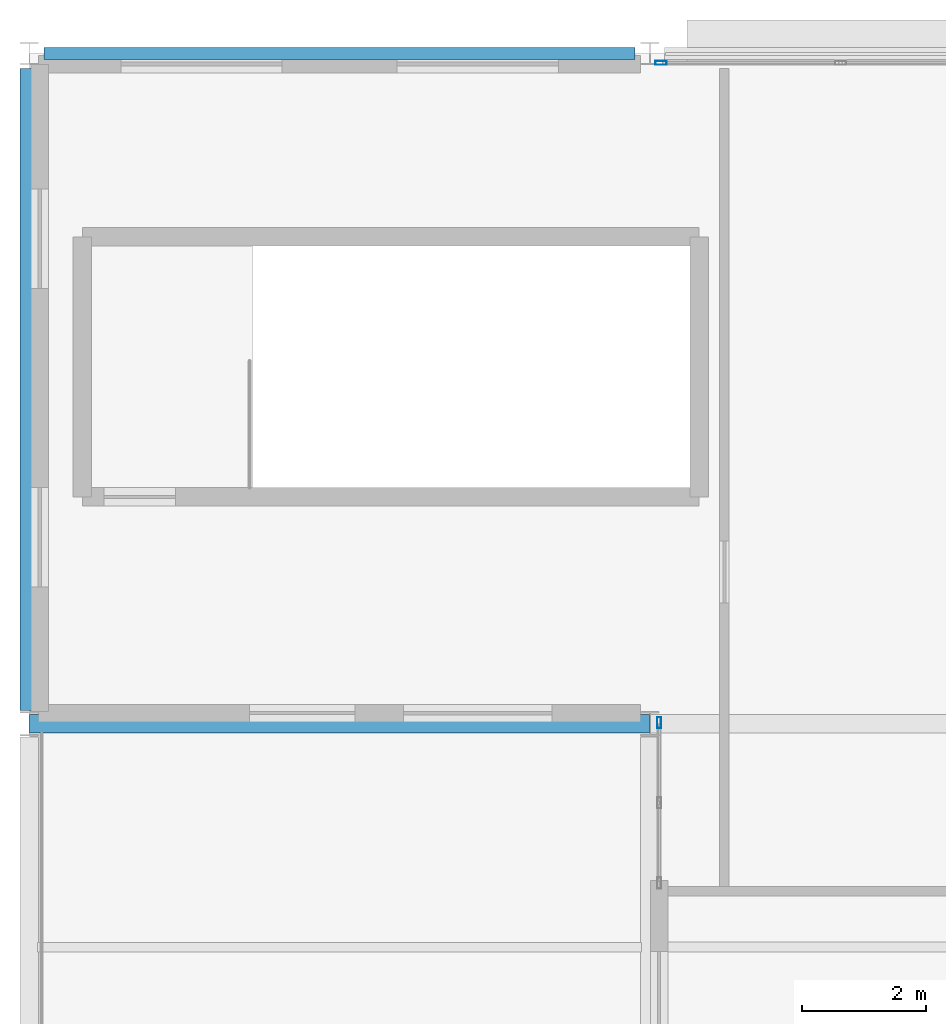
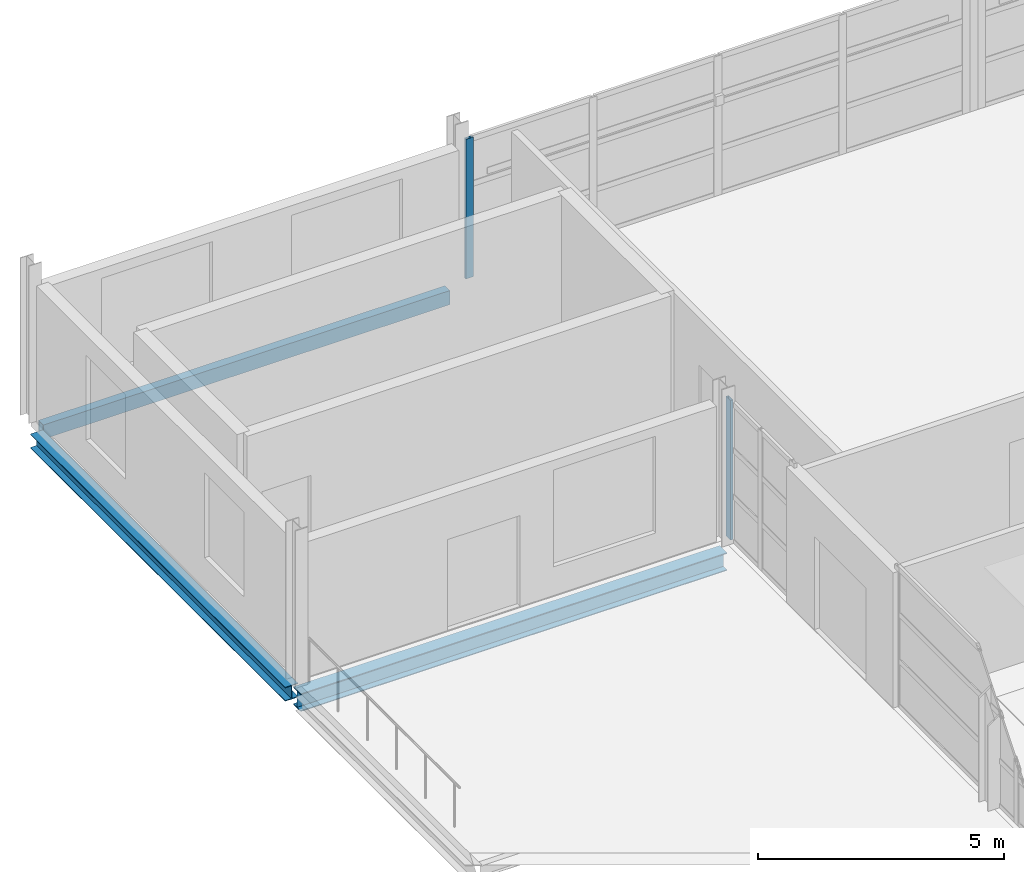
# One storey, part 16 of 33: 3 beams, 2 members, 2 elements without a shape of their own.
"""IFC4 building model written with IfcOpenShell, lengths in metres."""

from ifc_helpers import new_model, si_unit, direction, frame, origin, origin_2d, place, context, subcontext, project, spatial, hollow_rectangle, i_section, extrude, material, layer, layer_set, material_profile, profile_set, type_object, element, aggregate, save


model = new_model("IFC4")

# Units and contexts
model_context = context("Model", 3, precision=1e-05, world=origin(), true_north=direction((0.0, 1.0)))
body_context = subcontext(model_context, "Body", "Model", "MODEL_VIEW")
ifc_project = project(units=[si_unit("LENGTHUNIT", "METRE"), si_unit("AREAUNIT", "SQUARE_METRE"), si_unit("VOLUMEUNIT", "CUBIC_METRE"), si_unit("PLANEANGLEUNIT", "RADIAN"), si_unit("MASSUNIT", "GRAM", prefix="KILO")], contexts=[model_context])

# Site, building, storey
site_placement = place(None, origin())
site = spatial("IfcSite", under=ifc_project, at=site_placement, CompositionType="ELEMENT")
building_placement = place(site_placement, origin())
building = spatial("IfcBuilding", under=site, at=building_placement, Name="Tamarisk Ironworks Central Station", CompositionType="ELEMENT")
storey_placement = place(building_placement, frame((0.0, 0.0, 21.300048828125)))
storey = spatial("IfcBuildingStorey", under=building, at=storey_placement, Name="L04", CompositionType="ELEMENT", Elevation=21.300048828125)

# Beams
ifc_material_1 = material(Name="Structural steel S355J2", Category="steel")
ifc_material_profile_1 = material_profile(ifc_material_1, i_section(OverallWidth=0.300048828125, OverallDepth=0.43994140625, WebThickness=0.011474609375, FlangeThickness=0.02099609375, at=origin_2d()), Name="HEA 450")
ifc_profile_set_1 = profile_set([ifc_material_profile_1], Name="Structural steel S355J2")
beam_type_1 = type_object("IfcBeamType", Name="BM-G06", PredefinedType="BEAM", material=ifc_profile_set_1)
beam_1_placement = place(storey_placement, frame((118.00390625, 111.60009765625, -0.43994140625), z_axis=(1.0, 0.0, 0.0), x_axis=(0.0, 1.0, 0.0)))
element("IfcBeam", 1, at=beam_1_placement, inside=storey, type_object=beam_type_1, Name="L04 primary girder X-0720", PredefinedType="BEAM", context=body_context, shape_type="SweptSolid", body=[
    extrude(i_section(OverallWidth=0.300048828125, OverallDepth=0.43994140625, WebThickness=0.011474609375, FlangeThickness=0.02099609375, at=origin_2d()), origin(), (0.0, 0.0, 1.0), 9.9921875),
])
ifc_material_profile_2 = material_profile(ifc_material_1, i_section(OverallWidth=0.300048828125, OverallDepth=0.35009765625, WebThickness=0.010009765625, FlangeThickness=0.017578125, at=origin_2d()), Name="HEA 360")
ifc_profile_set_2 = profile_set([ifc_material_profile_2], Name="Structural steel S355J2")
beam_type_2 = type_object("IfcBeamType", Name="BM-G08", PredefinedType="BEAM", material=ifc_profile_set_2)
beam_2_placement = place(storey_placement, frame((118.0, 111.81298828125, -0.39501953125), z_axis=(0.0, 1.0, 0.0), x_axis=(-1.0, 0.0, 0.0)))
element("IfcBeam", 2, at=beam_2_placement, inside=storey, type_object=beam_type_2, Name="L04 primary girder Y-0732", PredefinedType="BEAM", context=body_context, shape_type="SweptSolid", body=[
    extrude(i_section(OverallWidth=0.300048828125, OverallDepth=0.35009765625, WebThickness=0.010009765625, FlangeThickness=0.017578125, at=origin_2d()), origin(), (0.0, 0.0, 1.0), 10.34912109375),
])
ifc_material_profile_3 = material_profile(ifc_material_1, hollow_rectangle(XDim=0.199951171875, YDim=0.35009765625, WallThickness=0.012451171875, at=origin_2d()), Name="RHS 350x200x12.5")
ifc_profile_set_3 = profile_set([ifc_material_profile_3], Name="Structural steel S355J2")
beam_type_3 = type_object("IfcBeamType", Name="BM-SP01", PredefinedType="SPANDREL", material=ifc_profile_set_3)
beam_3_placement = place(storey_placement, frame((118.238037109375, 122.39990234375, -0.39501953125), z_axis=(1.0, 0.0, 0.0), x_axis=(0.0, 1.0, 0.0)))
element("IfcBeam", 3, at=beam_3_placement, inside=storey, type_object=beam_type_3, Name="L04 primary girder X-0725", PredefinedType="SPANDREL", context=body_context, shape_type="SweptSolid", body=[
    extrude(hollow_rectangle(XDim=0.199951171875, YDim=0.35009765625, WallThickness=0.012451171875, at=origin_2d()), origin(), (0.0, 0.0, 1.0), 9.52392578125),
])

# Curtain wall, member
ifc_material_2 = material(Name="Anodized aluminium alloy 6063-T6", Category="aluminium")
ifc_layer = layer(ifc_material_2, 0.179931640625)
ifc_layer_set = layer_set([ifc_layer], Name="Anodized aluminium alloy 6063-T6")
curtain_wall_type = type_object("IfcCurtainWallType", Name="CW-19", PredefinedType="USERDEFINED", material=ifc_layer_set)
curtain_wall_1_placement = place(storey_placement, origin())
curtain_wall_1 = element("IfcCurtainWall", 4, at=curtain_wall_1_placement, inside=storey, type_object=curtain_wall_type, Name="Operations L04 north facade curtain wall 128", ObjectType="GLAZED CURTAIN WALL", PredefinedType="USERDEFINED")
ifc_material_profile_4 = material_profile(ifc_material_2, hollow_rectangle(XDim=0.06494140625, YDim=0.179931640625, WallThickness=0.00390625, at=origin_2d()), Name="ALUM 180x65")
ifc_profile_set_4 = profile_set([ifc_material_profile_4], Name="Anodized aluminium alloy 6063-T6")
member_type = type_object("IfcMemberType", Name="CWM-02", PredefinedType="MULLION", material=ifc_profile_set_4)
member_1_placement = place(storey_placement, frame((128.180419921875, 122.25, 0.0), z_axis=(0.0, 0.0, 1.0), x_axis=(0.0, 1.0, 0.0)))
member_1 = element("IfcMember", 5, at=member_1_placement, type_object=member_type, Name="CW19 mullion 1", PredefinedType="MULLION", context=body_context, shape_type="SweptSolid", body=[
    extrude(hollow_rectangle(XDim=0.06494140625, YDim=0.179931640625, WallThickness=0.00390625, at=origin_2d()), origin(), (0.0, 0.0, 1.0), 3.4599609375),
])
aggregate(curtain_wall_1, [member_1])

curtain_wall_2_placement = place(storey_placement, origin())
curtain_wall_2 = element("IfcCurtainWall", 6, at=curtain_wall_2_placement, inside=storey, type_object=curtain_wall_type, Name="Crown terrace overlook curtain wall L04-157", ObjectType="GLAZED CURTAIN WALL", PredefinedType="USERDEFINED")
member_2_placement = place(storey_placement, frame((128.14990234375, 111.617431640625, 0.0), z_axis=(0.0, 0.0, 1.0), x_axis=(-1.0, 0.0, 0.0)))
member_2 = element("IfcMember", 7, at=member_2_placement, type_object=member_type, Name="CW19 mullion 3", PredefinedType="MULLION", context=body_context, shape_type="SweptSolid", body=[
    extrude(hollow_rectangle(XDim=0.06494140625, YDim=0.179931640625, WallThickness=0.00390625, at=origin_2d()), origin(), (0.0, 0.0, 1.0), 3.4599609375),
])
aggregate(curtain_wall_2, [member_2])

save(model, "model.ifc")
